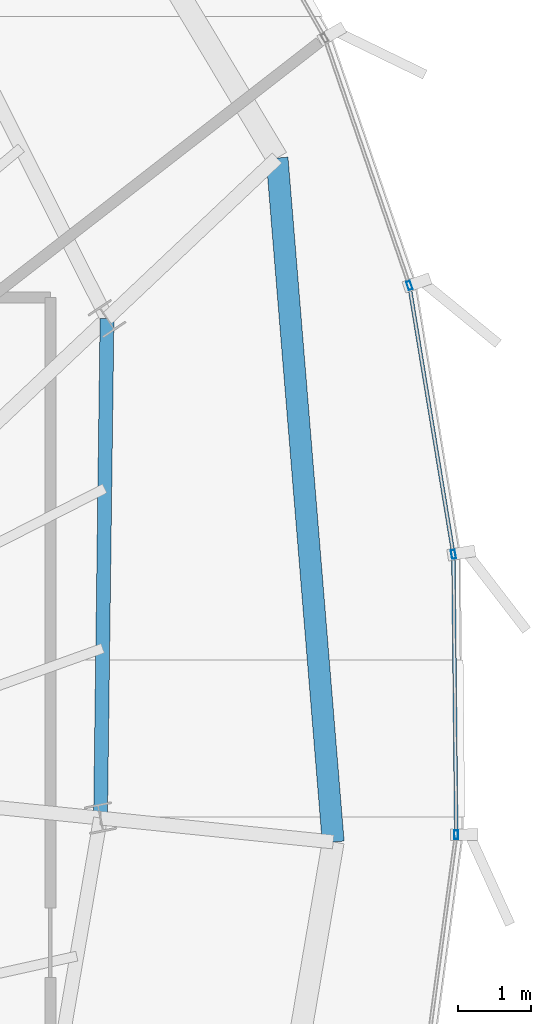
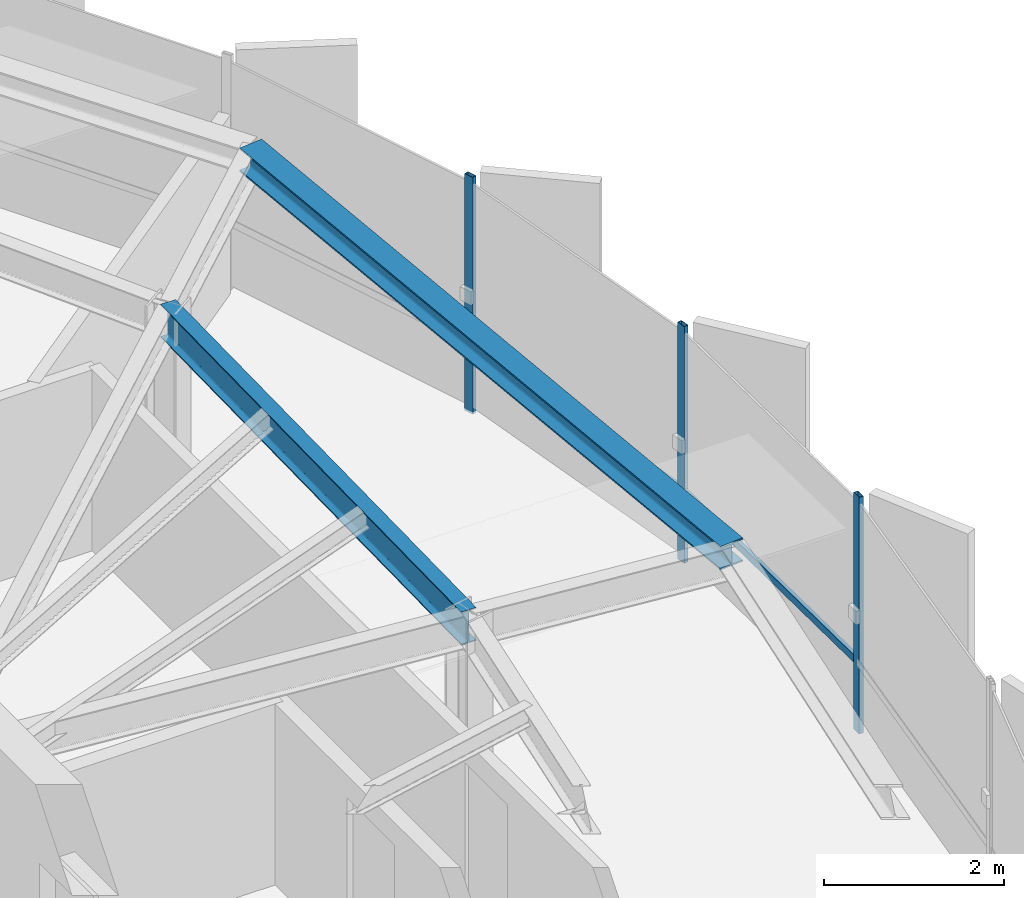
# One storey, part 16 of 31: 5 members, 2 beams, 1 element without a shape of its own.
"""IFC4 building model written with IfcOpenShell, lengths in metres."""

from ifc_helpers import new_model, si_unit, direction, frame, origin, origin_2d, place, context, subcontext, project, spatial, hollow_rectangle, i_section, extrude, source, transform, mapped, material, layer, layer_set, material_profile, profile_set, type_object, element, aggregate, save


model = new_model("IFC4")

# Units and contexts
model_context = context("Model", 3, precision=1e-05, world=origin(), true_north=direction((0.0, 1.0)))
body_context = subcontext(model_context, "Body", "Model", "MODEL_VIEW")
ifc_project = project(units=[si_unit("LENGTHUNIT", "METRE"), si_unit("AREAUNIT", "SQUARE_METRE"), si_unit("VOLUMEUNIT", "CUBIC_METRE"), si_unit("PLANEANGLEUNIT", "RADIAN"), si_unit("MASSUNIT", "GRAM", prefix="KILO"), si_unit("THERMODYNAMICTEMPERATUREUNIT", "KELVIN")], contexts=[model_context])

# Site, building, storey
site_placement = place(None, origin())
site = spatial("IfcSite", under=ifc_project, at=site_placement, CompositionType="ELEMENT")
building_placement = place(site_placement, origin())
building = spatial("IfcBuilding", under=site, at=building_placement, Name="Kethvar Cultural Tower", CompositionType="ELEMENT")
storey_placement = place(building_placement, frame((0.0, 0.0, 283.60009765625)))
storey = spatial("IfcBuildingStorey", under=building, at=storey_placement, Name="L75", CompositionType="ELEMENT", Elevation=283.60009765625)

# Beams
ifc_material_1 = material(Name="Steel S355J2", Category="steel")
ifc_material_profile_1 = material_profile(ifc_material_1, i_section(OverallWidth=0.18994140625, OverallDepth=0.449951171875, WebThickness=0.009521484375, FlangeThickness=0.0146484375, FilletRadius=0.02099609375, at=origin_2d()), Name="Steel S355J2 — IPE450")
ifc_profile_set_1 = profile_set([ifc_material_profile_1], Name="Steel S355J2 — IPE450")
beam_type_1 = type_object("IfcBeamType", Name="BM-IPE450", PredefinedType="BEAM", material=ifc_profile_set_1)
shared_shape_1 = source(origin(), body_context, "Body", "SweptSolid", [
    extrude(i_section(OverallWidth=0.18994140625, OverallDepth=0.449951171875, WebThickness=0.009521484375, FlangeThickness=0.0146484375, FilletRadius=0.02099609375, at=origin_2d()), origin(), (0.0, 0.0, 1.0), 6.834716796875),
])
beam_1_placement = place(storey_placement, frame((61.237060546875, 30.671630859375, 2.98291015625), z_axis=(0.012966437445, 0.999915932216, 0.0), x_axis=(-0.999915932216, 0.012966437445, 0.0)))
element("IfcBeam", 1, at=beam_1_placement, inside=storey, type_object=beam_type_1, Name="L75 Column Ring Tie Beam CR-01", PredefinedType="BEAM", context=body_context, shape_type="MappedRepresentation", body=[
    mapped(shared_shape_1, transform((0.0, 0.0, 0.0), scale=1.0)),
])
ifc_material_profile_2 = material_profile(ifc_material_1, i_section(OverallWidth=0.300048828125, OverallDepth=0.320068359375, WebThickness=0.011474609375, FlangeThickness=0.0205078125, FilletRadius=0.027099609375, at=origin_2d()), Name="Steel S355J2 — HEB320")
ifc_profile_set_2 = profile_set([ifc_material_profile_2], Name="Steel S355J2 — HEB320")
beam_type_2 = type_object("IfcBeamType", Name="BM-SP320", PredefinedType="SPANDREL", material=ifc_profile_set_2)
shared_shape_2 = source(origin(), body_context, "Body", "SweptSolid", [
    extrude(i_section(OverallWidth=0.300048828125, OverallDepth=0.320068359375, WebThickness=0.011474609375, FlangeThickness=0.0205078125, FilletRadius=0.027099609375, at=origin_2d()), origin(), (0.0, 0.0, 1.0), 9.388916015625),
])
beam_2_placement = place(storey_placement, frame((64.42041015625, 30.34521484375, 3.0478515625), z_axis=(-0.08178004371, 0.996650402323, 0.0), x_axis=(-0.996650402323, -0.08178004371, 0.0)))
element("IfcBeam", 2, at=beam_2_placement, inside=storey, type_object=beam_type_2, Name="L75 Perimeter Spandrel Beam SP-01", PredefinedType="SPANDREL", context=body_context, shape_type="MappedRepresentation", body=[
    mapped(shared_shape_2, transform((0.0, 0.0, 0.0), scale=1.0)),
])

# Curtain wall, members
ifc_material_2 = material(Name="Aluminium 6063-T6", Category="aluminium")
ifc_layer = layer(ifc_material_2, 0.179931640625, Name="Aluminium 6063-T6", Category="aluminium")
ifc_layer_set = layer_set([ifc_layer], Name="Aluminium 6063-T6 (180 mm)")
curtain_wall_type = type_object("IfcCurtainWallType", Name="CW-SYS-05-Z56", PredefinedType="NOTDEFINED", material=ifc_layer_set)
curtain_wall_placement = place(storey_placement, origin())
curtain_wall = element("IfcCurtainWall", 3, at=curtain_wall_placement, inside=storey, type_object=curtain_wall_type, Name="L75 Curtain Wall Run 06", PredefinedType="NOTDEFINED")
ifc_material_profile_3 = material_profile(ifc_material_2, hollow_rectangle(XDim=0.054931640625, YDim=0.1201171875, WallThickness=0.00390625, at=origin_2d()), Name="Aluminium 6063-T6 — RHS120x55x4")
ifc_profile_set_3 = profile_set([ifc_material_profile_3], Name="Aluminium 6063-T6 — RHS120x55x4")
member_type_1 = type_object("IfcMemberType", Name="CW-SYS-05-Z56-MUL", PredefinedType="MULLION", material=ifc_profile_set_3)
shared_shape_3 = source(origin(), body_context, "Body", "SweptSolid", [
    extrude(hollow_rectangle(XDim=0.054931640625, YDim=0.1201171875, WallThickness=0.00390625, at=origin_2d()), origin(), (0.0, 0.0, 1.0), 3.2099609375),
])
member_1_placement = place(storey_placement, frame((66.103759765625, 30.444580078125, 0.0), z_axis=(0.0, 0.0, 1.0), x_axis=(-0.999948232392, -0.010175093955, 0.0)))
member_1 = element("IfcMember", 4, at=member_1_placement, type_object=member_type_1, Name="CW-L75-R06 Mullion 2", PredefinedType="MULLION", context=body_context, shape_type="MappedRepresentation", body=[
    mapped(shared_shape_3, transform((0.0, 0.0, 0.0), scale=1.0)),
])
member_2_placement = place(storey_placement, frame((66.06591796875, 34.280517578125, 0.0), z_axis=(0.0, 0.0, 1.0), x_axis=(-0.98679924591, -0.161948288881, 0.0)))
member_2 = element("IfcMember", 5, at=member_2_placement, type_object=member_type_1, Name="CW-L75-R06 Mullion 3", PredefinedType="MULLION", context=body_context, shape_type="MappedRepresentation", body=[
    mapped(shared_shape_3, transform((0.0, 0.0, 0.0), scale=1.0)),
])
member_3_placement = place(storey_placement, frame((65.463623046875, 37.958740234375, 0.0), z_axis=(0.0, 0.0, 1.0), x_axis=(-0.945983550484, -0.32421462369, 0.0)))
member_3 = element("IfcMember", 6, at=member_3_placement, type_object=member_type_1, Name="CW-L75-R06 Mullion 4", PredefinedType="MULLION", context=body_context, shape_type="MappedRepresentation", body=[
    mapped(shared_shape_3, transform((0.0, 0.0, 0.0), scale=1.0)),
])
ifc_material_profile_4 = material_profile(ifc_material_2, hollow_rectangle(XDim=0.050048828125, YDim=0.10009765625, WallThickness=0.00390625, at=origin_2d()), Name="Aluminium 6063-T6 — RHS100x50x4")
ifc_profile_set_4 = profile_set([ifc_material_profile_4], Name="Aluminium 6063-T6 — RHS100x50x4")
member_type_2 = type_object("IfcMemberType", Name="CW-SYS-05-Z56-TRN", PredefinedType="USERDEFINED", material=ifc_profile_set_4)
shared_shape_4 = source(origin(), body_context, "Body", "SweptSolid", [
    extrude(hollow_rectangle(XDim=0.050048828125, YDim=0.10009765625, WallThickness=0.00390625, at=origin_2d()), origin(), (0.0, 0.0, 1.0), 3.772216796875),
])
member_4_placement = place(storey_placement, frame((66.103515625, 30.484130859375, 0.949951171875), z_axis=(-0.010226002503, 0.999947713069, 0.0), x_axis=(-0.999947713069, -0.010226002503, 0.0)))
member_4 = element("IfcMember", 7, at=member_4_placement, type_object=member_type_2, Name="CW-L75-R06 Transom 2", ObjectType="TRANSOM", PredefinedType="USERDEFINED", context=body_context, shape_type="MappedRepresentation", body=[
    mapped(shared_shape_4, transform((0.0, 0.0, 0.0), scale=1.0)),
])
shared_shape_5 = source(origin(), body_context, "Body", "SweptSolid", [
    extrude(hollow_rectangle(XDim=0.050048828125, YDim=0.10009765625, WallThickness=0.00390625, at=origin_2d()), origin(), (0.0, 0.0, 1.0), 3.66455078125),
])
member_5_placement = place(storey_placement, frame((66.0595703125, 34.319580078125, 0.949951171875), z_axis=(-0.161956895293, 0.986797833433, 0.0), x_axis=(-0.986797833433, -0.161956895293, 0.0)))
member_5 = element("IfcMember", 8, at=member_5_placement, type_object=member_type_2, Name="CW-L75-R06 Transom 3", ObjectType="TRANSOM", PredefinedType="USERDEFINED", context=body_context, shape_type="MappedRepresentation", body=[
    mapped(shared_shape_5, transform((0.0, 0.0, 0.0), scale=1.0)),
])
aggregate(curtain_wall, [member_1, member_2, member_3, member_4, member_5])

save(model, "model.ifc")
